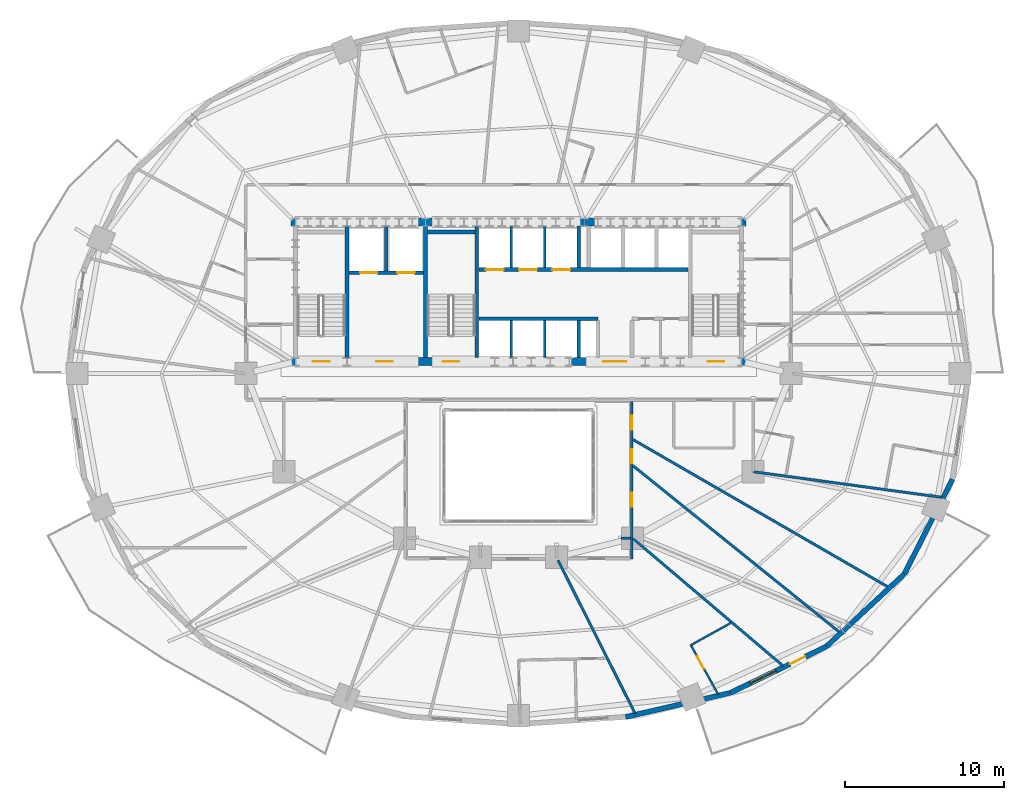
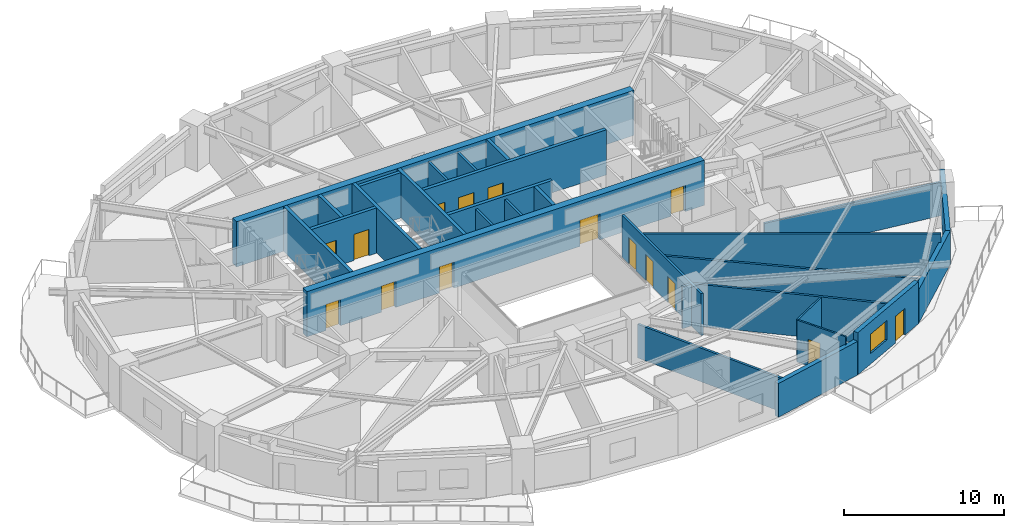
# One storey, part 9 of 16: 29 walls, 15 doors, 1 window, 16 openings.
"""IFC4 building model written with IfcOpenShell, lengths in metres."""

from ifc_helpers import new_model, si_unit, direction, frame, frame_2d, origin, place, context, subcontext, project, spatial, rectangle, extrude, material, layer, layer_set, type_object, element, fill, save


model = new_model("IFC4")

# Units and contexts
model_context = context("Model", 3, precision=1e-05, world=origin(), true_north=direction((0.0, 1.0)))
body_context = subcontext(model_context, "Body", "Model", "MODEL_VIEW")
ifc_project = project(units=[si_unit("LENGTHUNIT", "METRE"), si_unit("AREAUNIT", "SQUARE_METRE"), si_unit("VOLUMEUNIT", "CUBIC_METRE"), si_unit("PLANEANGLEUNIT", "RADIAN"), si_unit("MASSUNIT", "GRAM", prefix="KILO")], contexts=[model_context])

# Site, building, storey
site_placement = place(None, origin())
site = spatial("IfcSite", under=ifc_project, at=site_placement, CompositionType="ELEMENT")
building_placement = place(site_placement, origin())
building = spatial("IfcBuilding", under=site, at=building_placement, Name="Haldorwick Loom Tower", CompositionType="ELEMENT")
storey_placement = place(building_placement, frame((0.0, 0.0, 88.699951171875)))
storey = spatial("IfcBuildingStorey", under=building, at=storey_placement, Name="L23", CompositionType="ELEMENT", Elevation=88.699951171875)

# Wall
ifc_material_1 = material(Name="Pressed Clay Face Brick and Insulated Masonry Backup Assembly", Category="masonry")
ifc_layer_1 = layer(ifc_material_1, 0.320068359375, Name="Pressed Clay Face Brick and Insulated Masonry Backup Assembly", Category="masonry")
ifc_layer_set_1 = layer_set([ifc_layer_1], Name="Pressed Clay Face Brick and Insulated Masonry Backup Assembly")
wall_type_1 = type_object("IfcWallType", Name="ARC-WL-EXT320", PredefinedType="STANDARD", material=ifc_layer_set_1)
wall_1_placement = place(storey_placement, frame((42.757080078125, 4.325439453125, 0.0), z_axis=(0.0, 0.0, 1.0), x_axis=(0.974584177714, 0.224021607329, 0.0)))
element("IfcWall", 1, at=wall_1_placement, inside=storey, type_object=wall_type_1, Name="L23 Brick Pier and Spandrel Wall 20", PredefinedType="STANDARD", context=body_context, shape_type="SweptSolid", body=[
    extrude(rectangle(XDim=6.767822265625, YDim=0.320068359375, at=frame_2d((3.3837890625, 0.0))), origin(), (0.0, 0.0, 1.0), 2.569091796875),
])

# Wall, openings, door, window
wall_2_placement = place(storey_placement, frame((49.352783203125, 5.841552734375, 0.0), z_axis=(0.0, 0.0, 1.0), x_axis=(0.900510094661, 0.434835106004, 0.0)))
wall_2 = element("IfcWall", 2, at=wall_2_placement, inside=storey, type_object=wall_type_1, Name="L23 Brick Pier and Spandrel Wall 21", PredefinedType="STANDARD", context=body_context, shape_type="SweptSolid", body=[
    extrude(rectangle(XDim=6.744873046875, YDim=0.320068359375, at=frame_2d((3.37255859375, 0.0))), origin(), (0.0, 0.0, 1.0), 3.2099609375),
])
opening_1_placement = place(wall_2_placement, frame((4.18359375, 0.0, 0.0)))
opening_1 = element("IfcOpeningElement", 3, at=opening_1_placement, cuts=wall_2, Name="Opening D-BL11", PredefinedType="OPENING", context=body_context, shape_type="SweptSolid", body=[
    extrude(rectangle(XDim=1.080078125, YDim=2.0400390625, at=frame_2d((0.5400390625, 1.02001953125))), frame((0.0, 0.169921875, 0.0), z_axis=(0.0, -1.0, 0.0), x_axis=(1.0, 0.0, 0.0)), (0.0, 0.0, 1.0), 0.340087890625),
])
opening_2_placement = place(wall_2_placement, frame((1.421142578125, 0.0, 0.800048828125)))
opening_2 = element("IfcOpeningElement", 4, at=opening_2_placement, cuts=wall_2, Name="Opening W-01", PredefinedType="OPENING", context=body_context, shape_type="SweptSolid", body=[
    extrude(rectangle(XDim=1.800048828125, YDim=1.47998046875, at=frame_2d((0.89990234375, 0.739990234375))), frame((0.0, 0.169921875, 0.0), z_axis=(0.0, -1.0, 0.0), x_axis=(1.0, 0.0, 0.0)), (0.0, 0.0, 1.0), 0.340087890625),
])
ifc_material_2 = material(Name="Thermally Broken Anodized Aluminium Curtain Wall Framing", Category="aluminium")
door_type_1 = type_object("IfcDoorType", Name="ARC-DR-BAL110", OperationType="NOTDEFINED", PredefinedType="DOOR", material=ifc_material_2)
door_1_placement = place(opening_1_placement, origin())
door_1 = element("IfcDoor", 5, at=door_1_placement, inside=storey, type_object=door_type_1, Name="L23 Outdoor Terrace Door SLB-L23-BAL_SE", OperationType="SINGLE_SWING_LEFT", OverallHeight=2.0400390625, OverallWidth=1.080078125, PredefinedType="DOOR", context=body_context, shape_type="SweptSolid", body=[
    extrude(rectangle(XDim=1.080078125, YDim=2.0400390625, at=frame_2d((0.5400390625, 1.02001953125))), frame((0.0, 0.02490234375, 0.0), z_axis=(0.0, -1.0, 0.0), x_axis=(1.0, 0.0, 0.0)), (0.0, 0.0, 1.0), 0.050048828125),
])
fill(opening_1, door_1)
ifc_material_3 = material(Name="Triple-Glazed Low-E Argon Insulated Glazing Unit", Category="glass")
window_type = type_object("IfcWindowType", Name="ARC-WIN-W180", PartitioningType="SINGLE_PANEL", PredefinedType="WINDOW", material=ifc_material_3)
window_placement = place(opening_2_placement, origin())
window = element("IfcWindow", 6, at=window_placement, inside=storey, type_object=window_type, Name="L23 Deep-Set Zone 7A Window 21", OverallHeight=1.47998046875, OverallWidth=1.800048828125, PartitioningType="SINGLE_PANEL", PredefinedType="WINDOW", context=body_context, shape_type="SweptSolid", body=[
    extrude(rectangle(XDim=1.800048828125, YDim=1.47998046875, at=frame_2d((0.89990234375, 0.739990234375))), frame((0.0, 0.030029296875, 0.0), z_axis=(0.0, -1.0, 0.0), x_axis=(1.0, 0.0, 0.0)), (0.0, 0.0, 1.0), 0.06005859375),
])
fill(opening_2, window)

# Walls
wall_3_placement = place(storey_placement, frame((55.426513671875, 8.7744140625, 0.0), z_axis=(0.0, 0.0, 1.0), x_axis=(0.732137360086, 0.681157020052, 0.0)))
element("IfcWall", 7, at=wall_3_placement, inside=storey, type_object=wall_type_1, Name="L23 Brick Pier and Spandrel Wall 22", PredefinedType="STANDARD", context=body_context, shape_type="SweptSolid", body=[
    extrude(rectangle(XDim=6.709228515625, YDim=0.320068359375, at=frame_2d((3.3544921875, 0.0))), origin(), (0.0, 0.0, 1.0), 2.569091796875),
])
wall_4_placement = place(storey_placement, frame((60.338623046875, 13.344482421875, 0.0), z_axis=(0.0, 0.0, 1.0), x_axis=(0.453374078001, 0.89132033826, 0.0)))
element("IfcWall", 8, at=wall_4_placement, inside=storey, type_object=wall_type_1, Name="L23 Brick Pier and Spandrel Wall 23", PredefinedType="STANDARD", context=body_context, shape_type="SweptSolid", body=[
    extrude(rectangle(XDim=6.709716796875, YDim=0.320068359375, at=frame_2d((3.35498046875, 0.0))), origin(), (0.0, 0.0, 1.0), 2.569091796875),
])

# Wall, openings, doors
ifc_material_4 = material(Name="Fire-Rated Type X Gypsum Stud Assembly EI 60")
ifc_layer_2 = layer(ifc_material_4, 0.159912109375, Name="Fire-Rated Type X Gypsum Stud Assembly EI 60")
ifc_layer_set_2 = layer_set([ifc_layer_2], Name="Fire-Rated Type X Gypsum Stud Assembly EI 60")
wall_type_2 = type_object("IfcWallType", Name="ARC-WL-FIRE160", PredefinedType="PARTITIONING", material=ifc_layer_set_2)
wall_5_placement = place(storey_placement, frame((43.14990234375, 14.300048828125, 0.0), z_axis=(0.0, 0.0, 1.0), x_axis=(0.0, 1.0, 0.0)))
wall_5 = element("IfcWall", 9, at=wall_5_placement, inside=storey, type_object=wall_type_2, Name="L23 Residential Fire Partition L23-CR-AE", PredefinedType="PARTITIONING", context=body_context, shape_type="SweptSolid", body=[
    extrude(rectangle(XDim=9.9169921875, YDim=0.159912109375, at=frame_2d((4.95849609375, 0.0))), origin(), (0.0, 0.0, 1.0), 3.195068359375),
])
opening_3_placement = place(wall_5_placement, frame((3.27880859375, 0.0, 0.0)))
opening_3 = element("IfcOpeningElement", 10, at=opening_3_placement, cuts=wall_5, Name="Opening D-FD60A", PredefinedType="OPENING", context=body_context, shape_type="SweptSolid", body=[
    extrude(rectangle(XDim=0.89990234375, YDim=2.0, at=frame_2d((0.449951171875, 1.0))), frame((0.0, 0.08984375, 0.0), z_axis=(0.0, -1.0, 0.0), x_axis=(1.0, 0.0, 0.0)), (0.0, 0.0, 1.0), 0.179931640625),
])
opening_4_placement = place(wall_5_placement, frame((8.144775390625, 0.0, 0.0)))
opening_4 = element("IfcOpeningElement", 11, at=opening_4_placement, cuts=wall_5, Name="Opening D-FD60A", PredefinedType="OPENING", context=body_context, shape_type="SweptSolid", body=[
    extrude(rectangle(XDim=0.89990234375, YDim=2.0, at=frame_2d((0.449951171875, 1.0))), frame((0.0, 0.08984375, 0.0), z_axis=(0.0, -1.0, 0.0), x_axis=(1.0, 0.0, 0.0)), (0.0, 0.0, 1.0), 0.179931640625),
])
opening_5_placement = place(wall_5_placement, frame((6.021728515625, 0.0, 0.0)))
opening_5 = element("IfcOpeningElement", 12, at=opening_5_placement, cuts=wall_5, Name="Opening D-FD60A", PredefinedType="OPENING", context=body_context, shape_type="SweptSolid", body=[
    extrude(rectangle(XDim=0.89990234375, YDim=2.0, at=frame_2d((0.449951171875, 1.0))), frame((0.0, 0.08984375, 0.0), z_axis=(0.0, -1.0, 0.0), x_axis=(1.0, 0.0, 0.0)), (0.0, 0.0, 1.0), 0.179931640625),
])
ifc_material_5 = material(Name="Hollow Steel Fire Door Assembly", Category="steel")
door_type_2 = type_object("IfcDoorType", Name="ARC-DR-FD60-90", OperationType="NOTDEFINED", PredefinedType="DOOR", material=ifc_material_5)
door_2_placement = place(opening_3_placement, origin())
door_2 = element("IfcDoor", 13, at=door_2_placement, inside=storey, type_object=door_type_2, Name="L23 L23 South Atrium Corridor to Shared Resident Dining Hall 9 Door", OperationType="SINGLE_SWING_RIGHT", OverallHeight=2.0, OverallWidth=0.89990234375, PredefinedType="DOOR", context=body_context, shape_type="SweptSolid", body=[
    extrude(rectangle(XDim=0.89990234375, YDim=2.0, at=frame_2d((0.449951171875, 1.0))), frame((0.0, 0.02490234375, 0.0), z_axis=(0.0, -1.0, 0.0), x_axis=(1.0, 0.0, 0.0)), (0.0, 0.0, 1.0), 0.050048828125),
])
fill(opening_3, door_2)
door_3_placement = place(opening_4_placement, origin())
door_3 = element("IfcDoor", 14, at=door_3_placement, inside=storey, type_object=door_type_2, Name="L23 L23 South Atrium Corridor to Co-Working Office 2 Door", OperationType="SINGLE_SWING_RIGHT", OverallHeight=2.0, OverallWidth=0.89990234375, PredefinedType="DOOR", context=body_context, shape_type="SweptSolid", body=[
    extrude(rectangle(XDim=0.89990234375, YDim=2.0, at=frame_2d((0.449951171875, 1.0))), frame((0.0, 0.02490234375, 0.0), z_axis=(0.0, -1.0, 0.0), x_axis=(1.0, 0.0, 0.0)), (0.0, 0.0, 1.0), 0.050048828125),
])
fill(opening_4, door_3)
door_4_placement = place(opening_5_placement, origin())
door_4 = element("IfcDoor", 15, at=door_4_placement, inside=storey, type_object=door_type_2, Name="L23 L23 South Atrium Corridor to Shared Resident Dining Hall 13 Door", OperationType="SINGLE_SWING_LEFT", OverallHeight=2.0, OverallWidth=0.89990234375, PredefinedType="DOOR", context=body_context, shape_type="SweptSolid", body=[
    extrude(rectangle(XDim=0.89990234375, YDim=2.0, at=frame_2d((0.449951171875, 1.0))), frame((0.0, 0.02490234375, 0.0), z_axis=(0.0, -1.0, 0.0), x_axis=(1.0, 0.0, 0.0)), (0.0, 0.0, 1.0), 0.050048828125),
])
fill(opening_5, door_4)

# Walls
wall_6_placement = place(storey_placement, frame((50.800048828125, 19.800048828125, 0.0), z_axis=(0.0, 0.0, 1.0), x_axis=(0.990914409047, -0.13449399222, 0.0)))
element("IfcWall", 16, at=wall_6_placement, inside=storey, type_object=wall_type_2, Name="L23 Residential Fire Partition L23-ICR-03", PredefinedType="PARTITIONING", context=body_context, shape_type="SweptSolid", body=[
    extrude(rectangle(XDim=12.03515625, YDim=0.159912109375, at=frame_2d((6.017578125, 0.0))), origin(), (0.0, 0.0, 1.0), 2.568115234375),
])
wall_7_placement = place(storey_placement, frame((43.23291015625, 15.572021484375, 0.0), z_axis=(0.0, 0.0, 1.0), x_axis=(0.762606935213, -0.646862166435, 0.0)))
element("IfcWall", 17, at=wall_7_placement, inside=storey, type_object=wall_type_2, Name="L23 Residential Fire Partition L23-ICR-05", PredefinedType="PARTITIONING", context=body_context, shape_type="SweptSolid", body=[
    extrude(rectangle(XDim=12.42578125, YDim=0.159912109375, at=frame_2d((6.212890625, 0.0))), origin(), (0.0, 0.0, 1.0), 3.195068359375),
])
wall_8_placement = place(storey_placement, frame((38.491943359375, 14.217041015625, 0.0), z_axis=(0.0, 0.0, 1.0), x_axis=(0.449158251696, -0.893452217488, 0.0)))
element("IfcWall", 18, at=wall_8_placement, inside=storey, type_object=wall_type_2, Name="L23 Residential Fire Partition L23-ICR-07", PredefinedType="PARTITIONING", context=body_context, shape_type="SweptSolid", body=[
    extrude(rectangle(XDim=10.841064453125, YDim=0.159912109375, at=frame_2d((5.42041015625, 0.0))), origin(), (0.0, 0.0, 1.0), 2.568115234375),
])
wall_9_placement = place(storey_placement, frame((42.449951171875, 15.60009765625, 0.0), z_axis=(0.0, 0.0, 1.0), x_axis=(1.0, 0.0, 0.0)))
element("IfcWall", 19, at=wall_9_placement, inside=storey, type_object=wall_type_2, Name="L23 Residential Fire Partition L23-ICA-04", PredefinedType="PARTITIONING", context=body_context, shape_type="SweptSolid", body=[
    extrude(rectangle(XDim=0.616943359375, YDim=0.159912109375, at=frame_2d((0.30859375, 0.0))), origin(), (0.0, 0.0, 1.0), 3.195068359375),
])
wall_10_placement = place(storey_placement, frame((43.23291015625, 21.82080078125, 0.0), z_axis=(0.0, 0.0, 1.0), x_axis=(0.865844235813, -0.500313660927, 0.0)))
element("IfcWall", 20, at=wall_10_placement, inside=storey, type_object=wall_type_2, Name="L23 Suite Split Wall", PredefinedType="PARTITIONING", context=body_context, shape_type="SweptSolid", body=[
    extrude(rectangle(XDim=18.60986328125, YDim=0.159912109375, at=frame_2d((9.304931640625, 0.0))), origin(), (0.0, 0.0, 1.0), 3.195068359375),
])
wall_11_placement = place(storey_placement, frame((43.23291015625, 20.16943359375, 0.0), z_axis=(0.0, 0.0, 1.0), x_axis=(0.77856047963, -0.627569581447, 0.0)))
element("IfcWall", 21, at=wall_11_placement, inside=storey, type_object=wall_type_2, Name="L23 Suite Split Wall", PredefinedType="PARTITIONING", context=body_context, shape_type="SweptSolid", body=[
    extrude(rectangle(XDim=16.754638671875, YDim=0.159912109375, at=frame_2d((8.37744140625, 0.0))), origin(), (0.0, 0.0, 1.0), 2.568115234375),
])
ifc_material_6 = material(Name="Acoustic Gypsum Stud Assembly STC 55")
ifc_layer_3 = layer(ifc_material_6, 0.1201171875, Name="Acoustic Gypsum Stud Assembly STC 55")
ifc_layer_set_3 = layer_set([ifc_layer_3], Name="Acoustic Gypsum Stud Assembly STC 55")
wall_type_3 = type_object("IfcWallType", Name="ARC-WL-PART120", PredefinedType="PARTITIONING", material=ifc_layer_set_3)
wall_12_placement = place(storey_placement, frame((46.872314453125, 8.857421875, 0.0), z_axis=(0.0, 0.0, 1.0), x_axis=(0.874341922952, 0.485310417948, 0.0)))
element("IfcWall", 22, at=wall_12_placement, inside=storey, type_object=wall_type_3, Name="L23 Unit 23A Interior Partition", PredefinedType="PARTITIONING", context=body_context, shape_type="SweptSolid", body=[
    extrude(rectangle(XDim=2.867919921875, YDim=0.1201171875, at=frame_2d((1.43408203125, 0.0))), origin(), (0.0, 0.0, 1.0), 3.195068359375),
])

# Wall, opening, door
wall_13_placement = place(storey_placement, frame((46.872314453125, 8.857421875, 0.0), z_axis=(0.0, 0.0, 1.0), x_axis=(0.485236401974, -0.874383002007, 0.0)))
wall_13 = element("IfcWall", 23, at=wall_13_placement, inside=storey, type_object=wall_type_3, Name="L23 Unit 23A Interior Partition", PredefinedType="PARTITIONING", context=body_context, shape_type="SweptSolid", body=[
    extrude(rectangle(XDim=3.56982421875, YDim=0.1201171875, at=frame_2d((1.784912109375, 0.0))), origin(), (0.0, 0.0, 1.0), 3.195068359375),
])
opening_6_placement = place(wall_13_placement, frame((0.8271484375, 0.0, 0.0)))
opening_6 = element("IfcOpeningElement", 24, at=opening_6_placement, cuts=wall_13, Name="Opening D-BT88", PredefinedType="OPENING", context=body_context, shape_type="SweptSolid", body=[
    extrude(rectangle(XDim=0.8798828125, YDim=2.02001953125, at=frame_2d((0.43994140625, 1.010009765625))), frame((0.0, 0.070068359375, 0.0), z_axis=(0.0, -1.0, 0.0), x_axis=(1.0, 0.0, 0.0)), (0.0, 0.0, 1.0), 0.14013671875),
])
ifc_material_7 = material(Name="Solid Core Birch Architectural Door")
door_type_3 = type_object("IfcDoorType", Name="ARC-DR-BATH88", OperationType="NOTDEFINED", PredefinedType="DOOR", material=ifc_material_7)
door_5_placement = place(opening_6_placement, origin())
door_5 = element("IfcDoor", 25, at=door_5_placement, inside=storey, type_object=door_type_3, Name="L23 Unit 23A Bathroom to Unit 23A Kitchen and Studio Living Room Door", OperationType="SINGLE_SWING_RIGHT", OverallHeight=2.02001953125, OverallWidth=0.8798828125, PredefinedType="DOOR", context=body_context, shape_type="SweptSolid", body=[
    extrude(rectangle(XDim=0.8798828125, YDim=2.02001953125, at=frame_2d((0.43994140625, 1.010009765625))), frame((0.0, 0.02490234375, 0.0), z_axis=(0.0, -1.0, 0.0), x_axis=(1.0, 0.0, 0.0)), (0.0, 0.0, 1.0), 0.050048828125),
])
fill(opening_6, door_5)

# Walls
ifc_material_8 = material(Name="Fire-Rated Type X Gypsum Stud Assembly EI 120")
ifc_layer_4 = layer(ifc_material_8, 0.1650390625, Name="Fire-Rated Type X Gypsum Stud Assembly EI 120")
ifc_layer_set_4 = layer_set([ifc_layer_4], Name="Fire-Rated Type X Gypsum Stud Assembly EI 120")
wall_type_4 = type_object("IfcWallType", Name="ARC-WL-SHAFT160", PredefinedType="MOVABLE", material=ifc_layer_set_4)
for number, where, z_axis, x_axis, name in (
    (26, (35.550048828125, 32.673095703125, 0.0), (0.0, 0.0, 1.0), (0.0, 1.0, 0.0), "L23 Low-Rise Hoistway Divider 1"),
    (27, (37.64990234375, 32.673095703125, 0.0), (0.0, 0.0, 1.0), (0.0, 1.0, 0.0), "L23 Low-Rise Hoistway Divider 2"),
):
    element("IfcWall", number, at=place(storey_placement, frame(where, z_axis=z_axis, x_axis=x_axis)), inside=storey, type_object=wall_type_4, Name=name, PredefinedType="MOVABLE", context=body_context, shape_type="SweptSolid", body=[
        extrude(rectangle(XDim=2.6240234375, YDim=0.159912109375, at=frame_2d((1.31201171875, 0.0))), origin(), (0.0, 0.0, 1.0), 3.195068359375),
    ])
for number, where, z_axis, x_axis, name in (
    (28, (35.550048828125, 27.0029296875, 0.0), (0.0, 0.0, 1.0), (0.0, 1.0, 0.0), "L23 Mid-Rise Hoistway Divider 1"),
    (29, (37.64990234375, 27.0029296875, 0.0), (0.0, 0.0, 1.0), (0.0, 1.0, 0.0), "L23 Mid-Rise Hoistway Divider 2"),
):
    element("IfcWall", number, at=place(storey_placement, frame(where, z_axis=z_axis, x_axis=x_axis)), inside=storey, type_object=wall_type_4, Name=name, PredefinedType="MOVABLE", context=body_context, shape_type="SweptSolid", body=[
        extrude(rectangle(XDim=2.323974609375, YDim=0.159912109375, at=frame_2d((1.162109375, 0.0))), origin(), (0.0, 0.0, 1.0), 3.195068359375),
    ])

# Wall, openings, doors
ifc_material_9 = material(Name="Concrete C60 (60 MPa)", Category="concrete")
ifc_layer_5 = layer(ifc_material_9, 0.5, Name="Concrete C60 (60 MPa)", Category="concrete")
ifc_layer_set_5 = layer_set([ifc_layer_5], Name="Concrete C60 (60 MPa)")
wall_type_5 = type_object("IfcWallType", Name="STR-WL-CORE500", PredefinedType="SHEAR", material=ifc_layer_set_5)
wall_14_placement = place(storey_placement, frame((21.64990234375, 26.75, 0.0), z_axis=(0.0, 0.0, 1.0), x_axis=(1.0, 0.0, 0.0)))
wall_14 = element("IfcWall", 30, at=wall_14_placement, inside=storey, type_object=wall_type_5, Name="L23 Core Shear Wall S", PredefinedType="SHEAR", context=body_context, shape_type="SweptSolid", body=[
    extrude(rectangle(XDim=28.7001953125, YDim=0.5, at=frame_2d((14.35009765625, 0.0))), origin(), (0.0, 0.0, 1.0), 3.449951171875),
])
opening_7_placement = place(wall_14_placement, frame((1.375, 0.0, 0.0)))
opening_7 = element("IfcOpeningElement", 31, at=opening_7_placement, cuts=wall_14, Name="Opening D-FD60", PredefinedType="OPENING", context=body_context, shape_type="SweptSolid", body=[
    extrude(rectangle(XDim=1.050048828125, YDim=2.0, at=frame_2d((0.52490234375, 1.0))), frame((0.0, 0.260009765625, 0.0), z_axis=(0.0, -1.0, 0.0), x_axis=(1.0, 0.0, 0.0)), (0.0, 0.0, 1.0), 0.52001953125),
])
opening_8_placement = place(wall_14_placement, frame((5.375, 0.0, 0.0)))
opening_8 = element("IfcOpeningElement", 32, at=opening_8_placement, cuts=wall_14, Name="Opening D-FD60", PredefinedType="OPENING", context=body_context, shape_type="SweptSolid", body=[
    extrude(rectangle(XDim=1.050048828125, YDim=2.0, at=frame_2d((0.52490234375, 1.0))), frame((0.0, 0.260009765625, 0.0), z_axis=(0.0, -1.0, 0.0), x_axis=(1.0, 0.0, 0.0)), (0.0, 0.0, 1.0), 0.52001953125),
])
opening_9_placement = place(wall_14_placement, frame((9.574951171875, 0.0, 0.0)))
opening_9 = element("IfcOpeningElement", 33, at=opening_9_placement, cuts=wall_14, Name="Opening D-FD60", PredefinedType="OPENING", context=body_context, shape_type="SweptSolid", body=[
    extrude(rectangle(XDim=1.050048828125, YDim=2.0, at=frame_2d((0.52490234375, 1.0))), frame((0.0, 0.260009765625, 0.0), z_axis=(0.0, -1.0, 0.0), x_axis=(1.0, 0.0, 0.0)), (0.0, 0.0, 1.0), 0.52001953125),
])
opening_10_placement = place(wall_14_placement, frame((19.705078125, 0.0, 0.0)))
opening_10 = element("IfcOpeningElement", 34, at=opening_10_placement, cuts=wall_14, Name="Opening D-LB15", PredefinedType="OPENING", context=body_context, shape_type="SweptSolid", body=[
    extrude(rectangle(XDim=1.449951171875, YDim=2.0, at=frame_2d((0.72509765625, 1.0))), frame((0.0, 0.260009765625, 0.0), z_axis=(0.0, -1.0, 0.0), x_axis=(1.0, 0.0, 0.0)), (0.0, 0.0, 1.0), 0.52001953125),
])
opening_11_placement = place(wall_14_placement, frame((26.27490234375, 0.0, 0.0)))
opening_11 = element("IfcOpeningElement", 35, at=opening_11_placement, cuts=wall_14, Name="Opening D-FD60", PredefinedType="OPENING", context=body_context, shape_type="SweptSolid", body=[
    extrude(rectangle(XDim=1.050048828125, YDim=2.0, at=frame_2d((0.52490234375, 1.0))), frame((0.0, 0.260009765625, 0.0), z_axis=(0.0, -1.0, 0.0), x_axis=(1.0, 0.0, 0.0)), (0.0, 0.0, 1.0), 0.52001953125),
])
door_type_4 = type_object("IfcDoorType", Name="ARC-DR-FD60", OperationType="NOTDEFINED", PredefinedType="DOOR", material=ifc_material_5)
door_6_placement = place(opening_7_placement, origin())
door_6 = element("IfcDoor", 36, at=door_6_placement, inside=storey, type_object=door_type_4, Name="L23 Exit Stair ST-01 Fire Door", OperationType="SINGLE_SWING_LEFT", OverallHeight=2.0, OverallWidth=1.050048828125, PredefinedType="DOOR", context=body_context, shape_type="SweptSolid", body=[
    extrude(rectangle(XDim=1.050048828125, YDim=2.0, at=frame_2d((0.52490234375, 1.0))), frame((0.0, 0.02490234375, 0.0), z_axis=(0.0, -1.0, 0.0), x_axis=(1.0, 0.0, 0.0)), (0.0, 0.0, 1.0), 0.050048828125),
])
fill(opening_7, door_6)
door_7_placement = place(opening_8_placement, origin())
door_7 = element("IfcDoor", 37, at=door_7_placement, inside=storey, type_object=door_type_4, Name="L23 Firefighting Lift Lobby Fire Door", OperationType="SINGLE_SWING_RIGHT", OverallHeight=2.0, OverallWidth=1.050048828125, PredefinedType="DOOR", context=body_context, shape_type="SweptSolid", body=[
    extrude(rectangle(XDim=1.050048828125, YDim=2.0, at=frame_2d((0.52490234375, 1.0))), frame((0.0, 0.02490234375, 0.0), z_axis=(0.0, -1.0, 0.0), x_axis=(1.0, 0.0, 0.0)), (0.0, 0.0, 1.0), 0.050048828125),
])
fill(opening_8, door_7)
door_8_placement = place(opening_9_placement, origin())
door_8 = element("IfcDoor", 38, at=door_8_placement, inside=storey, type_object=door_type_4, Name="L23 Exit Stair ST-03 Fire Door", OperationType="SINGLE_SWING_LEFT", OverallHeight=2.0, OverallWidth=1.050048828125, PredefinedType="DOOR", context=body_context, shape_type="SweptSolid", body=[
    extrude(rectangle(XDim=1.050048828125, YDim=2.0, at=frame_2d((0.52490234375, 1.0))), frame((0.0, 0.02490234375, 0.0), z_axis=(0.0, -1.0, 0.0), x_axis=(1.0, 0.0, 0.0)), (0.0, 0.0, 1.0), 0.050048828125),
])
fill(opening_9, door_8)
door_9_placement = place(opening_11_placement, origin())
door_9 = element("IfcDoor", 39, at=door_9_placement, inside=storey, type_object=door_type_4, Name="L23 Exit Stair ST-02 Fire Door", OperationType="SINGLE_SWING_LEFT", OverallHeight=2.0, OverallWidth=1.050048828125, PredefinedType="DOOR", context=body_context, shape_type="SweptSolid", body=[
    extrude(rectangle(XDim=1.050048828125, YDim=2.0, at=frame_2d((0.52490234375, 1.0))), frame((0.0, 0.02490234375, 0.0), z_axis=(0.0, -1.0, 0.0), x_axis=(1.0, 0.0, 0.0)), (0.0, 0.0, 1.0), 0.050048828125),
])
fill(opening_11, door_9)
ifc_material_10 = material(Name="Thermally Broken Anodized Aluminium and Tempered Glass", Category="aluminium")
door_type_5 = type_object("IfcDoorType", Name="ARC-DR-LOB150", OperationType="NOTDEFINED", PredefinedType="DOOR", material=ifc_material_10)
door_10_placement = place(opening_10_placement, frame((1.449951171875, 0.0, 0.0), z_axis=(0.0, 0.0, 1.0), x_axis=(-1.0, 0.0, 0.0)))
door_10 = element("IfcDoor", 40, at=door_10_placement, inside=storey, type_object=door_type_5, Name="L23 Passenger Lift Lobby Fire Door", OperationType="DOUBLE_DOOR_SINGLE_SWING", OverallHeight=2.0, OverallWidth=1.449951171875, PredefinedType="DOOR", context=body_context, shape_type="SweptSolid", body=[
    extrude(rectangle(XDim=1.449951171875, YDim=2.0, at=frame_2d((0.72509765625, 1.0))), frame((0.0, 0.02490234375, 0.0), z_axis=(0.0, -1.0, 0.0), x_axis=(1.0, 0.0, 0.0)), (0.0, 0.0, 1.0), 0.050048828125),
])
fill(opening_10, door_10)

# Walls
wall_15_placement = place(storey_placement, frame((50.35009765625, 35.550048828125, 0.0), z_axis=(0.0, 0.0, 1.0), x_axis=(-1.0, 0.0, 0.0)))
element("IfcWall", 41, at=wall_15_placement, inside=storey, type_object=wall_type_5, Name="L23 Core Shear Wall N", PredefinedType="SHEAR", context=body_context, shape_type="SweptSolid", body=[
    extrude(rectangle(XDim=28.7001953125, YDim=0.5, at=frame_2d((14.35009765625, 0.0))), origin(), (0.0, 0.0, 1.0), 3.449951171875),
])
ifc_material_11 = material(Name="Concrete C50 (50 MPa)", Category="concrete")
ifc_layer_6 = layer(ifc_material_11, 0.239990234375, Name="Concrete C50 (50 MPa)", Category="concrete")
ifc_layer_set_6 = layer_set([ifc_layer_6], Name="Concrete C50 (50 MPa)")
wall_type_6 = type_object("IfcWallType", Name="STR-WL-SHAFT240", PredefinedType="SHEAR", material=ifc_layer_set_6)
for number, where, z_axis, x_axis, name in (
    (42, (25.169921875, 27.0029296875, 0.0), (0.0, 0.0, 1.0), (0.0, 1.0, 0.0), "L23 Core Shear Wall 1"),
    (43, (30.1298828125, 27.0029296875, 0.0), (0.0, 0.0, 1.0), (0.0, 1.0, 0.0), "L23 Core Shear Wall 2"),
    (44, (33.3701171875, 27.0029296875, 0.0), (0.0, 0.0, 1.0), (0.0, 1.0, 0.0), "L23 Core Shear Wall 3"),
):
    element("IfcWall", number, at=place(storey_placement, frame(where, z_axis=z_axis, x_axis=x_axis)), inside=storey, type_object=wall_type_6, Name=name, PredefinedType="SHEAR", context=body_context, shape_type="SweptSolid", body=[
        extrude(rectangle(XDim=8.294189453125, YDim=0.239990234375, at=frame_2d((4.14697265625, 0.0))), origin(), (0.0, 0.0, 1.0), 3.449951171875),
    ])
wall_16_placement = place(storey_placement, frame((30.2529296875, 34.919921875, 0.0), z_axis=(0.0, 0.0, 1.0), x_axis=(1.0, 0.0, 0.0)))
element("IfcWall", 45, at=wall_16_placement, inside=storey, type_object=wall_type_6, Name="L23 Core Shear Wall 3N", PredefinedType="SHEAR", context=body_context, shape_type="SweptSolid", body=[
    extrude(rectangle(XDim=2.994140625, YDim=0.239990234375, at=frame_2d((1.4970703125, 0.0))), origin(), (0.0, 0.0, 1.0), 3.449951171875),
])

# Wall, openings, doors
wall_17_placement = place(storey_placement, frame((25.29296875, 32.35009765625, 0.0), z_axis=(0.0, 0.0, 1.0), x_axis=(1.0, 0.0, 0.0)))
wall_17 = element("IfcWall", 46, at=wall_17_placement, inside=storey, type_object=wall_type_6, Name="L23 Core Shear Wall FF", PredefinedType="SHEAR", context=body_context, shape_type="SweptSolid", body=[
    extrude(rectangle(XDim=4.714111328125, YDim=0.239990234375, at=frame_2d((2.35693359375, 0.0))), origin(), (0.0, 0.0, 1.0), 3.449951171875),
])
opening_12_placement = place(wall_17_placement, frame((0.70703125, 0.0, 0.0)))
opening_12 = element("IfcOpeningElement", 47, at=opening_12_placement, cuts=wall_17, Name="Opening LD-FF1", PredefinedType="OPENING", context=body_context, shape_type="SweptSolid", body=[
    extrude(rectangle(XDim=1.10009765625, YDim=2.0, at=frame_2d((0.550048828125, 1.0))), frame((0.0, 0.1298828125, 0.0), z_axis=(0.0, -1.0, 0.0), x_axis=(1.0, 0.0, 0.0)), (0.0, 0.0, 1.0), 0.260009765625),
])
opening_13_placement = place(wall_17_placement, frame((3.056884765625, 0.0, 0.0)))
opening_13 = element("IfcOpeningElement", 48, at=opening_13_placement, cuts=wall_17, Name="Opening LD-FF2", PredefinedType="OPENING", context=body_context, shape_type="SweptSolid", body=[
    extrude(rectangle(XDim=1.10009765625, YDim=2.0, at=frame_2d((0.550048828125, 1.0))), frame((0.0, 0.1298828125, 0.0), z_axis=(0.0, -1.0, 0.0), x_axis=(1.0, 0.0, 0.0)), (0.0, 0.0, 1.0), 0.260009765625),
])
door_type_6 = type_object("IfcDoorType", Name="ARC-DR-LD-FF", OperationType="NOTDEFINED", PredefinedType="USERDEFINED", material=ifc_material_5)
door_11_placement = place(opening_12_placement, origin())
door_11 = element("IfcDoor", 49, at=door_11_placement, inside=storey, type_object=door_type_6, Name="L23 Lift LF-FF1 Sliding Landing Door", ObjectType="LANDING DOOR", OperationType="DOUBLE_DOOR_SLIDING", OverallHeight=2.0, OverallWidth=1.10009765625, PredefinedType="USERDEFINED", context=body_context, shape_type="SweptSolid", body=[
    extrude(rectangle(XDim=1.10009765625, YDim=2.0, at=frame_2d((0.550048828125, 1.0))), frame((0.0, 0.02490234375, 0.0), z_axis=(0.0, -1.0, 0.0), x_axis=(1.0, 0.0, 0.0)), (0.0, 0.0, 1.0), 0.050048828125),
])
fill(opening_12, door_11)
door_12_placement = place(opening_13_placement, origin())
door_12 = element("IfcDoor", 50, at=door_12_placement, inside=storey, type_object=door_type_6, Name="L23 Lift LF-FF2 Sliding Landing Door", ObjectType="LANDING DOOR", OperationType="DOUBLE_DOOR_SLIDING", OverallHeight=2.0, OverallWidth=1.10009765625, PredefinedType="USERDEFINED", context=body_context, shape_type="SweptSolid", body=[
    extrude(rectangle(XDim=1.10009765625, YDim=2.0, at=frame_2d((0.550048828125, 1.0))), frame((0.0, 0.02490234375, 0.0), z_axis=(0.0, -1.0, 0.0), x_axis=(1.0, 0.0, 0.0)), (0.0, 0.0, 1.0), 0.050048828125),
])
fill(opening_13, door_12)

# Wall
wall_18_placement = place(storey_placement, frame((27.64990234375, 32.472900390625, 0.0), z_axis=(0.0, 0.0, 1.0), x_axis=(0.0, 1.0, 0.0)))
element("IfcWall", 51, at=wall_18_placement, inside=storey, type_object=wall_type_6, Name="L23 Core Shear Wall FFD", PredefinedType="SHEAR", context=body_context, shape_type="SweptSolid", body=[
    extrude(rectangle(XDim=2.82421875, YDim=0.239990234375, at=frame_2d((1.412109375, 0.0))), origin(), (0.0, 0.0, 1.0), 3.449951171875),
])

# Wall, openings, doors
wall_19_placement = place(storey_placement, frame((33.492919921875, 32.550048828125, 0.0), z_axis=(0.0, 0.0, 1.0), x_axis=(1.0, 0.0, 0.0)))
wall_19 = element("IfcWall", 52, at=wall_19_placement, inside=storey, type_object=wall_type_6, Name="L23 Core Shear Wall LN", PredefinedType="SHEAR", context=body_context, shape_type="SweptSolid", body=[
    extrude(rectangle(XDim=13.214111328125, YDim=0.239990234375, at=frame_2d((6.60693359375, 0.0))), origin(), (0.0, 0.0, 1.0), 3.449951171875),
])
opening_14_placement = place(wall_19_placement, frame((0.447021484375, 0.0, 0.0)))
opening_14 = element("IfcOpeningElement", 53, at=opening_14_placement, cuts=wall_19, Name="Opening LD-L1", PredefinedType="OPENING", context=body_context, shape_type="SweptSolid", body=[
    extrude(rectangle(XDim=1.1201171875, YDim=2.0, at=frame_2d((0.56005859375, 1.0))), frame((0.0, 0.1298828125, 0.0), z_axis=(0.0, -1.0, 0.0), x_axis=(1.0, 0.0, 0.0)), (0.0, 0.0, 1.0), 0.260009765625),
])
opening_15_placement = place(wall_19_placement, frame((2.547119140625, 0.0, 0.0)))
opening_15 = element("IfcOpeningElement", 54, at=opening_15_placement, cuts=wall_19, Name="Opening LD-L2", PredefinedType="OPENING", context=body_context, shape_type="SweptSolid", body=[
    extrude(rectangle(XDim=1.1201171875, YDim=2.0, at=frame_2d((0.56005859375, 1.0))), frame((0.0, 0.1298828125, 0.0), z_axis=(0.0, -1.0, 0.0), x_axis=(1.0, 0.0, 0.0)), (0.0, 0.0, 1.0), 0.260009765625),
])
opening_16_placement = place(wall_19_placement, frame((4.64697265625, 0.0, 0.0)))
opening_16 = element("IfcOpeningElement", 55, at=opening_16_placement, cuts=wall_19, Name="Opening LD-L3", PredefinedType="OPENING", context=body_context, shape_type="SweptSolid", body=[
    extrude(rectangle(XDim=1.1201171875, YDim=2.0, at=frame_2d((0.56005859375, 1.0))), frame((0.0, 0.1298828125, 0.0), z_axis=(0.0, -1.0, 0.0), x_axis=(1.0, 0.0, 0.0)), (0.0, 0.0, 1.0), 0.260009765625),
])
door_type_7 = type_object("IfcDoorType", Name="ARC-DR-LD-PAX", OperationType="NOTDEFINED", PredefinedType="USERDEFINED", material=ifc_material_5)
door_13_placement = place(opening_14_placement, origin())
door_13 = element("IfcDoor", 56, at=door_13_placement, inside=storey, type_object=door_type_7, Name="L23 Lift LF-L1 Sliding Landing Door", ObjectType="LANDING DOOR", OperationType="DOUBLE_DOOR_SLIDING", OverallHeight=2.0, OverallWidth=1.1201171875, PredefinedType="USERDEFINED", context=body_context, shape_type="SweptSolid", body=[
    extrude(rectangle(XDim=1.1201171875, YDim=2.0, at=frame_2d((0.56005859375, 1.0))), frame((0.0, 0.02490234375, 0.0), z_axis=(0.0, -1.0, 0.0), x_axis=(1.0, 0.0, 0.0)), (0.0, 0.0, 1.0), 0.050048828125),
])
fill(opening_14, door_13)
door_14_placement = place(opening_15_placement, origin())
door_14 = element("IfcDoor", 57, at=door_14_placement, inside=storey, type_object=door_type_7, Name="L23 Lift LF-L2 Sliding Landing Door", ObjectType="LANDING DOOR", OperationType="DOUBLE_DOOR_SLIDING", OverallHeight=2.0, OverallWidth=1.1201171875, PredefinedType="USERDEFINED", context=body_context, shape_type="SweptSolid", body=[
    extrude(rectangle(XDim=1.1201171875, YDim=2.0, at=frame_2d((0.56005859375, 1.0))), frame((0.0, 0.02490234375, 0.0), z_axis=(0.0, -1.0, 0.0), x_axis=(1.0, 0.0, 0.0)), (0.0, 0.0, 1.0), 0.050048828125),
])
fill(opening_15, door_14)
door_15_placement = place(opening_16_placement, origin())
door_15 = element("IfcDoor", 58, at=door_15_placement, inside=storey, type_object=door_type_7, Name="L23 Lift LF-L3 Sliding Landing Door", ObjectType="LANDING DOOR", OperationType="DOUBLE_DOOR_SLIDING", OverallHeight=2.0, OverallWidth=1.1201171875, PredefinedType="USERDEFINED", context=body_context, shape_type="SweptSolid", body=[
    extrude(rectangle(XDim=1.1201171875, YDim=2.0, at=frame_2d((0.56005859375, 1.0))), frame((0.0, 0.02490234375, 0.0), z_axis=(0.0, -1.0, 0.0), x_axis=(1.0, 0.0, 0.0)), (0.0, 0.0, 1.0), 0.050048828125),
])
fill(opening_16, door_15)

# Walls
wall_20_placement = place(storey_placement, frame((33.492919921875, 29.449951171875, 0.0), z_axis=(0.0, 0.0, 1.0), x_axis=(1.0, 0.0, 0.0)))
element("IfcWall", 59, at=wall_20_placement, inside=storey, type_object=wall_type_6, Name="L23 Core Shear Wall LS1", PredefinedType="SHEAR", context=body_context, shape_type="SweptSolid", body=[
    extrude(rectangle(XDim=7.507080078125, YDim=0.239990234375, at=frame_2d((3.75341796875, 0.0))), origin(), (0.0, 0.0, 1.0), 3.449951171875),
])
wall_21_placement = place(storey_placement, frame((39.800048828125, 32.673095703125, 0.0), z_axis=(0.0, 0.0, 1.0), x_axis=(0.0, 1.0, 0.0)))
element("IfcWall", 60, at=wall_21_placement, inside=storey, type_object=wall_type_6, Name="L23 Core Shear Wall LHW", PredefinedType="SHEAR", context=body_context, shape_type="SweptSolid", body=[
    extrude(rectangle(XDim=2.6240234375, YDim=0.239990234375, at=frame_2d((1.31201171875, 0.0))), origin(), (0.0, 0.0, 1.0), 3.449951171875),
])
wall_22_placement = place(storey_placement, frame((39.800048828125, 27.0029296875, 0.0), z_axis=(0.0, 0.0, 1.0), x_axis=(0.0, 1.0, 0.0)))
element("IfcWall", 61, at=wall_22_placement, inside=storey, type_object=wall_type_6, Name="L23 Core Shear Wall MRW", PredefinedType="SHEAR", context=body_context, shape_type="SweptSolid", body=[
    extrude(rectangle(XDim=2.323974609375, YDim=0.239990234375, at=frame_2d((1.162109375, 0.0))), origin(), (0.0, 0.0, 1.0), 3.449951171875),
])

save(model, "model.ifc")
